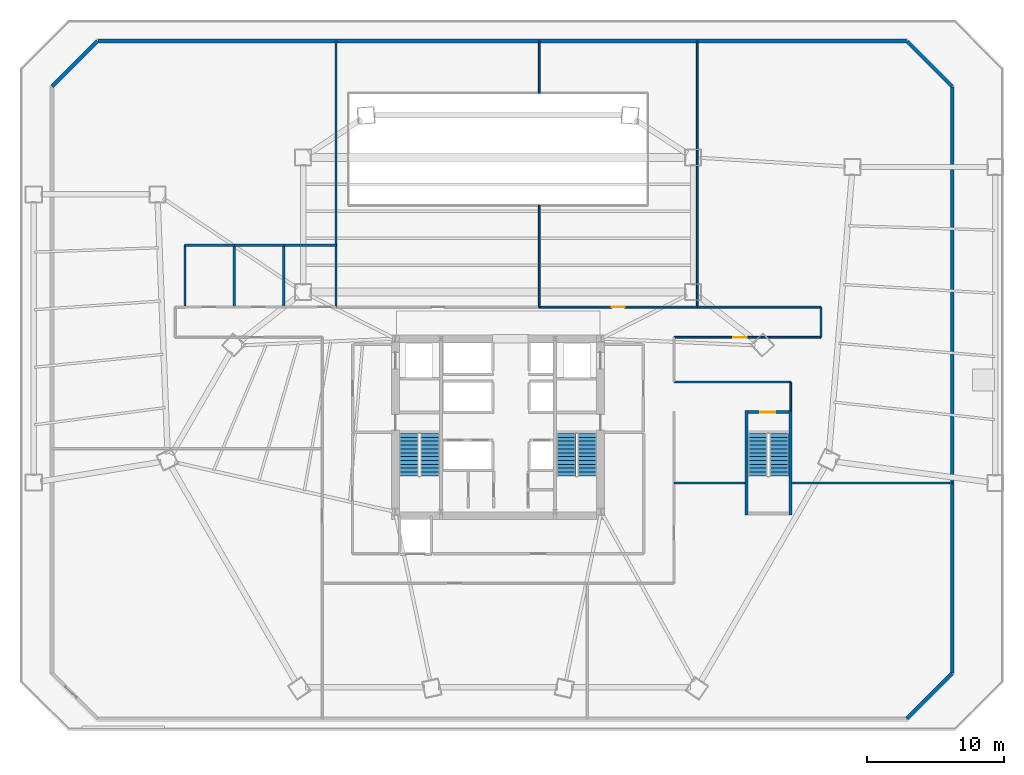
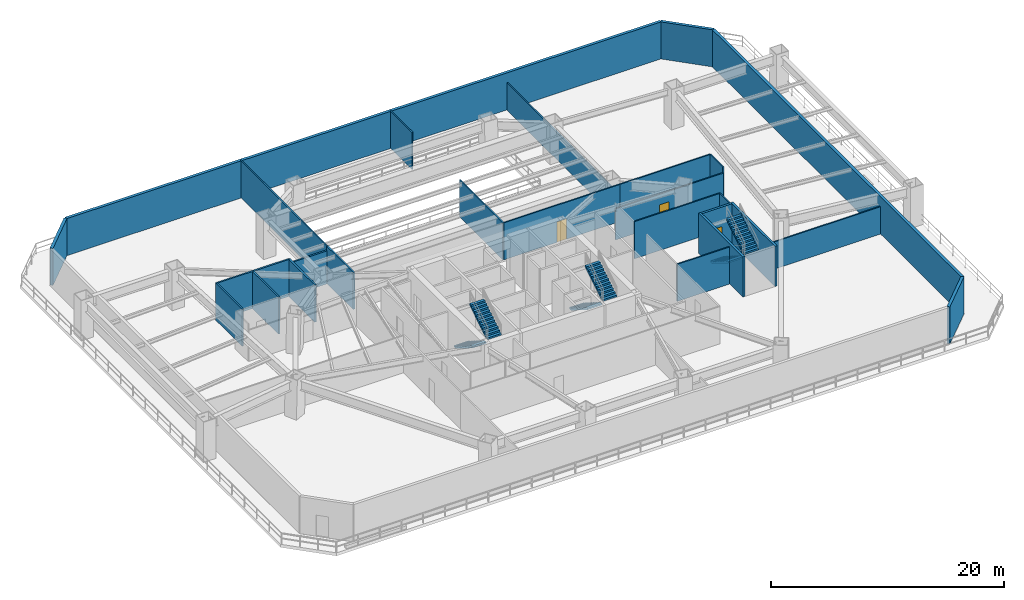
# One storey, part 7 of 12: 27 walls, 6 stair flights, 3 doors, 3 openings, 3 elements without a shape of their own.
"""IFC4 building model written with IfcOpenShell, lengths in metres."""

import ifcopenshell
import ifcopenshell.guid

model = None  # the IFC model being written
_history = None  # IfcOwnerHistory: only IFC2X3 demands one
_inside = {}  # id of a spatial element -> (the spatial element, [elements in it])
_under = {}  # id of a project, library or spatial element -> (it, [spatial elements below it])
_declared = {}  # id of a project -> (the project, [libraries it declares])
_typed = {}  # id of a type object -> (the type object, [elements of that type])
_made_of = {}  # id of a material, layer set ... -> (it, [elements and type objects made of it])


def new_model(schema):
    """Start an empty IFC model of exactly this schema.

    Asked for "IFC4X3", IfcOpenShell would pick the latest addendum, in which some entities
    have other attributes; the version numbers below select the first issue.
    IFC2X3 requires an IfcOwnerHistory on every rooted entity: one is made here for all.
    """
    global model, _history
    if schema == "IFC4X3":
        model = ifcopenshell.file(schema_version=(4, 3, 0, 0))
    else:
        model = ifcopenshell.file(schema=schema)
    _inside.clear()
    _under.clear()
    _declared.clear()
    _typed.clear()
    _made_of.clear()
    _history = None
    if model.schema == "IFC2X3":
        org = make("IfcOrganization", Name="unknown")
        user = make(
            "IfcPersonAndOrganization",
            ThePerson=make("IfcPerson", FamilyName="unknown"),
            TheOrganization=org,
        )
        app = make(
            "IfcApplication",
            ApplicationDeveloper=org,
            Version="unknown",
            ApplicationFullName="unknown",
            ApplicationIdentifier="unknown",
        )
        _history = make(
            "IfcOwnerHistory",
            OwningUser=user,
            OwningApplication=app,
            ChangeAction="ADDED",
            CreationDate=0,
        )
    return model


def make(cls, **values):
    """One entity of the class cls with the attributes given. An attribute that is None is left unset."""
    return model.create_entity(
        cls, **{name: value for name, value in values.items() if value is not None}
    )


def rooted(cls, **values):
    """An entity with a GlobalId (a new one), such as an element, a storey or a relation."""
    return make(cls, GlobalId=ifcopenshell.guid.new(), OwnerHistory=_history, **values)


def si_unit(unit_type, name, prefix=None):
    """IfcSIUnit, for example si_unit("LENGTHUNIT", "METRE", prefix="MILLI")."""
    return make("IfcSIUnit", UnitType=unit_type, Prefix=prefix, Name=name)


def assignment(units):
    """IfcUnitAssignment: the units of a project."""
    return None if units is None else make("IfcUnitAssignment", Units=units)


def point(xyz):
    """IfcCartesianPoint."""
    return None if xyz is None else make("IfcCartesianPoint", Coordinates=xyz)


def direction(xyz):
    """IfcDirection."""
    return None if xyz is None else make("IfcDirection", DirectionRatios=xyz)


def frame(location, z_axis=None, x_axis=None):
    """IfcAxis2Placement3D, a coordinate frame: its origin and axes. An axis left out is left unset."""
    return make(
        "IfcAxis2Placement3D",
        Location=point(location),
        Axis=direction(z_axis),
        RefDirection=direction(x_axis),
    )


def frame_2d(location, x_axis=None):
    """IfcAxis2Placement2D, a coordinate frame in the plane: its origin and x axis."""
    return make(
        "IfcAxis2Placement2D", Location=point(location), RefDirection=direction(x_axis)
    )


def origin():
    """The frame at (0, 0, 0) with its axes left unset."""
    return frame((0.0, 0.0, 0.0))


def place(relative_to, where):
    """IfcLocalPlacement: puts the frame where relative to a parent placement (None: the world)."""
    return make(
        "IfcLocalPlacement", PlacementRelTo=relative_to, RelativePlacement=where
    )


def context(
    kind, dimensions, precision=None, world=None, true_north=None, identifier=None
):
    """IfcGeometricRepresentationContext, for example the 3D "Model" context."""
    return make(
        "IfcGeometricRepresentationContext",
        ContextIdentifier=identifier,
        ContextType=kind,
        CoordinateSpaceDimension=dimensions,
        Precision=precision,
        WorldCoordinateSystem=world,
        TrueNorth=true_north,
    )


def subcontext(parent, identifier, kind, view, scale=None):
    """IfcGeometricRepresentationSubContext, for example "Body" below "Model"."""
    return make(
        "IfcGeometricRepresentationSubContext",
        ContextIdentifier=identifier,
        ContextType=kind,
        ParentContext=parent,
        TargetScale=scale,
        TargetView=view,
    )


def project(units=None, contexts=None):
    """IfcProject with its units and contexts."""
    return rooted(
        "IfcProject",
        Name="project",
        RepresentationContexts=contexts,
        UnitsInContext=assignment(units),
    )


def spatial(cls, under=None, at=None, **own):
    """A site, building, storey or space (cls), placed at a placement, below another one or the project."""
    s = rooted(cls, ObjectPlacement=at, **own)
    if under is not None:
        _under.setdefault(under.id(), (under, []))[1].append(s)
    return s


def polyline(points):
    """IfcPolyline through the points."""
    return make("IfcPolyline", Points=[point(p) for p in points])


def profile(cls, at=None, kind="AREA", **sizes):
    """A parametric profile (cls). Its sizes go by their IFC names, for example OverallWidth=200.0."""
    return make(cls, ProfileType=kind, Position=at, **sizes)


def rectangle(**sizes):
    """IfcRectangleProfileDef."""
    return profile("IfcRectangleProfileDef", **sizes)


def outline(outer, holes=None, kind="AREA"):
    """IfcArbitraryClosedProfileDef: a profile drawn as a closed curve; with holes, ...WithVoids."""
    if holes is None:
        return make("IfcArbitraryClosedProfileDef", ProfileType=kind, OuterCurve=outer)
    return make(
        "IfcArbitraryProfileDefWithVoids",
        ProfileType=kind,
        OuterCurve=outer,
        InnerCurves=holes,
    )


def extrude(swept, where, along, depth):
    """IfcExtrudedAreaSolid: the profile swept, set in the frame where, extruded along a direction by depth."""
    return make(
        "IfcExtrudedAreaSolid",
        SweptArea=swept,
        Position=where,
        ExtrudedDirection=direction(along),
        Depth=depth,
    )


def shape(context_of_items, identifier, shape_type, items):
    """IfcShapeRepresentation: the items that make up one representation, for example the "Body"."""
    return make(
        "IfcShapeRepresentation",
        ContextOfItems=context_of_items,
        RepresentationIdentifier=identifier,
        RepresentationType=shape_type,
        Items=items,
    )


def material(Name=None, Category=None):
    """IfcMaterial."""
    return make("IfcMaterial", Name=Name, Category=Category)


def layer(
    of_material, thickness, ventilated=None, Name=None, Category=None, Priority=None
):
    """IfcMaterialLayer: one layer of a wall or slab, of a material (None: an air gap)."""
    return make(
        "IfcMaterialLayer",
        Material=of_material,
        LayerThickness=thickness,
        IsVentilated=ventilated,
        Name=Name,
        Category=Category,
        Priority=Priority,
    )


def layer_set(layers, Name=None):
    """IfcMaterialLayerSet."""
    return make("IfcMaterialLayerSet", MaterialLayers=layers, LayerSetName=Name)


def made_of(thing, what):
    """Note that an element or type object is made of a material, layer set ...; save() writes the relation."""
    if what is not None:
        _made_of.setdefault(what.id(), (what, []))[1].append(thing)
    return thing


def type_object(cls, material=None, **own):
    """A type object (cls), such as IfcWallType, which elements share."""
    return made_of(rooted(cls, **own), material)


def element(
    cls,
    number,
    at=None,
    inside=None,
    cuts=None,
    type_object=None,
    material=None,
    context=None,
    identifier="Body",
    shape_type=None,
    held_by="IfcProductDefinitionShape",
    body=None,
    shapes=None,
    **own,
):
    """One element of the class cls, such as IfcWall. Its Tag is "e" and its number.

    at: its placement. inside: the storey or other place that contains it. cuts: it is an
    opening in that element (IfcRelVoidsElement). A single representation is given by context,
    identifier, shape_type and body (its items); several are given by shapes. held_by: the class
    of the entity that holds the representations. save() writes the other relations.
    """
    e = rooted(cls, Tag="e%d" % number, ObjectPlacement=at, **own)
    if body is not None:
        shapes = [shape(context, identifier, shape_type, body)]
    if shapes is not None:
        e.Representation = make(held_by, Representations=shapes)
    if inside is not None:
        _inside.setdefault(inside.id(), (inside, []))[1].append(e)
    if cuts is not None:
        rooted(
            "IfcRelVoidsElement", RelatingBuildingElement=cuts, RelatedOpeningElement=e
        )
    if type_object is not None:
        _typed.setdefault(type_object.id(), (type_object, []))[1].append(e)
    return made_of(e, material)


def fill(opening, filler):
    """IfcRelFillsElement: the door or window that sits in an opening."""
    return rooted(
        "IfcRelFillsElement",
        RelatingOpeningElement=opening,
        RelatedBuildingElement=filler,
    )


def aggregate(whole, parts):
    """IfcRelAggregates: a whole, such as a stair, and the parts it consists of."""
    return rooted("IfcRelAggregates", RelatingObject=whole, RelatedObjects=parts)


def save(model, path):
    """Write the relations noted so far, then the file.

    IfcRelAggregates (storeys below a building ...), IfcRelContainedInSpatialStructure (elements
    in a storey), IfcRelDefinesByType, IfcRelAssociatesMaterial and IfcRelDeclares: one each for
    every whole, place, type object, material and project.
    """
    for whole, parts in _under.values():
        aggregate(whole, parts)
    for where, things in _inside.values():
        rooted(
            "IfcRelContainedInSpatialStructure",
            RelatedElements=things,
            RelatingStructure=where,
        )
    for kind, things in _typed.values():
        rooted("IfcRelDefinesByType", RelatedObjects=things, RelatingType=kind)
    for what, things in _made_of.values():
        rooted("IfcRelAssociatesMaterial", RelatedObjects=things, RelatingMaterial=what)
    for by, libraries in _declared.values():
        rooted("IfcRelDeclares", RelatingContext=by, RelatedDefinitions=libraries)
    model.write(path)


model = new_model("IFC4")

# Units and contexts
model_context = context("Model", 3, precision=1e-05, world=origin(), true_north=direction((0.0, 1.0)))
body_context = subcontext(model_context, "Body", "Model", "MODEL_VIEW")
ifc_project = project(units=[si_unit("LENGTHUNIT", "METRE"), si_unit("AREAUNIT", "SQUARE_METRE"), si_unit("VOLUMEUNIT", "CUBIC_METRE"), si_unit("PLANEANGLEUNIT", "RADIAN"), si_unit("MASSUNIT", "GRAM", prefix="KILO")], contexts=[model_context])

# Site, building, storey
site_placement = place(None, origin())
site = spatial("IfcSite", under=ifc_project, at=site_placement, CompositionType="ELEMENT")
building_placement = place(site_placement, origin())
building = spatial("IfcBuilding", under=site, at=building_placement, Name="Caelisora Broadcast Tower", CompositionType="ELEMENT")
storey_placement = place(building_placement, frame((0.0, 0.0, 14.699951171875)))
storey = spatial("IfcBuildingStorey", under=building, at=storey_placement, Name="L03", CompositionType="ELEMENT", Elevation=14.699951171875)

# Walls
ifc_material_1 = material(Name="Concrete 50 MPa (AS 3600 S50)", Category="concrete")
ifc_layer_1 = layer(ifc_material_1, 0.219970703125, Name="Concrete 50 MPa (AS 3600 S50)")
ifc_layer_set_1 = layer_set([ifc_layer_1], Name="Concrete 50 MPa (AS 3600 S50)")
wall_type_1 = type_object("IfcWallType", Name="CW7", PredefinedType="SHEAR", material=ifc_layer_set_1)
for number, where, z_axis, x_axis, name in (
    (1, (56.090087890625, 17.179931640625, 0.0), (0.0, 0.0, 1.0), (0.0, 1.0, 0.0), "L03 core shear wall CW7"),
    (2, (59.27001953125, 17.179931640625, 0.0), (0.0, 0.0, 1.0), (0.0, 1.0, 0.0), "L03 core shear wall CW7"),
):
    element("IfcWall", number, at=place(storey_placement, frame(where, z_axis=z_axis, x_axis=x_axis)), inside=storey, type_object=wall_type_1, Name=name, PredefinedType="SHEAR", context=body_context, shape_type="SweptSolid", body=[
        extrude(rectangle(XDim=7.580078125, YDim=0.219970703125, at=frame_2d((3.7900390625, 0.0))), origin(), (0.0, 0.0, 1.0), 4.199951171875),
    ])

# Wall, opening, door
wall_1_placement = place(storey_placement, frame((56.199951171875, 24.64990234375, 0.0), z_axis=(0.0, 0.0, 1.0), x_axis=(1.0, 0.0, 0.0)))
wall_1 = element("IfcWall", 3, at=wall_1_placement, inside=storey, type_object=wall_type_1, Name="L03 core shear wall CW7", PredefinedType="SHEAR", context=body_context, shape_type="SweptSolid", body=[
    extrude(rectangle(XDim=2.9599609375, YDim=0.219970703125, at=frame_2d((1.47998046875, 0.0))), origin(), (0.0, 0.0, 1.0), 4.199951171875),
])
opening_1_placement = place(wall_1_placement, frame((0.8701171875, 0.0, 0.0)))
opening_1 = element("IfcOpeningElement", 4, at=opening_1_placement, cuts=wall_1, Name="Opening FD04", PredefinedType="OPENING", context=body_context, shape_type="SweptSolid", body=[
    extrude(rectangle(XDim=1.1201171875, YDim=2.14990234375, at=frame_2d((0.56005859375, 1.074951171875))), frame((0.0, 0.1220703125, 0.0), z_axis=(0.0, -1.0, 0.0), x_axis=(1.0, 0.0, 0.0)), (0.0, 0.0, 1.0), 0.243896484375),
])
ifc_material_2 = material(Name="Pressurised Fire-Isolated Stair Door", Category="steel")
door_type_1 = type_object("IfcDoorType", Name="FD04", OperationType="NOTDEFINED", PredefinedType="DOOR", material=ifc_material_2)
door_1_placement = place(opening_1_placement, origin())
door_1 = element("IfcDoor", 5, at=door_1_placement, inside=storey, type_object=door_type_1, Name="L03 door FD04 (L03-DR-ST3)", OperationType="SINGLE_SWING_LEFT", OverallHeight=2.14990234375, OverallWidth=1.1201171875, PredefinedType="DOOR", context=body_context, shape_type="SweptSolid", body=[
    extrude(rectangle(XDim=1.1201171875, YDim=2.14990234375, at=frame_2d((0.56005859375, 1.074951171875))), frame((0.0, 0.02490234375, 0.0), z_axis=(0.0, -1.0, 0.0), x_axis=(1.0, 0.0, 0.0)), (0.0, 0.0, 1.0), 0.050048828125),
])
fill(opening_1, door_1)

# Walls
ifc_material_3 = material(Name="Insulated Terracotta Spandrel Wall System", Category="masonry")
ifc_layer_2 = layer(ifc_material_3, 0.280029296875, Name="Insulated Terracotta Spandrel Wall System")
ifc_layer_set_2 = layer_set([ifc_layer_2], Name="Insulated Terracotta Spandrel Wall System")
wall_type_2 = type_object("IfcWallType", Name="EW1", PredefinedType="STANDARD", material=ifc_layer_set_2)
wall_2_placement = place(storey_placement, frame((5.5400390625, 48.35888671875, 0.0), z_axis=(0.0, 0.0, 1.0), x_axis=(0.707106781187, 0.707106781187, 0.0)))
element("IfcWall", 6, at=wall_2_placement, inside=storey, type_object=wall_type_2, Name="L03 exterior envelope wall EW1", PredefinedType="STANDARD", context=body_context, shape_type="SweptSolid", body=[
    extrude(rectangle(XDim=4.66845703125, YDim=0.280029296875, at=frame_2d((2.334228515625, 0.0))), origin(), (0.0, 0.0, 1.0), 3.880126953125),
])
wall_3_placement = place(storey_placement, frame((8.861083984375, 51.659912109375, 0.0), z_axis=(0.0, 0.0, 1.0), x_axis=(1.0, 0.0, 0.0)))
element("IfcWall", 7, at=wall_3_placement, inside=storey, type_object=wall_type_2, Name="L03 exterior envelope wall EW1", PredefinedType="STANDARD", context=body_context, shape_type="SweptSolid", body=[
    extrude(rectangle(XDim=58.8779296875, YDim=0.280029296875, at=frame_2d((29.43896484375, 0.0))), origin(), (0.0, 0.0, 1.0), 3.880126953125),
])
wall_4_placement = place(storey_placement, frame((67.759033203125, 51.659912109375, 0.0), z_axis=(0.0, 0.0, 1.0), x_axis=(0.707106781187, -0.707106781187, 0.0)))
element("IfcWall", 8, at=wall_4_placement, inside=storey, type_object=wall_type_2, Name="L03 exterior envelope wall EW1", PredefinedType="STANDARD", context=body_context, shape_type="SweptSolid", body=[
    extrude(rectangle(XDim=4.66845703125, YDim=0.280029296875, at=frame_2d((2.334228515625, 0.0))), origin(), (0.0, 0.0, 1.0), 3.880126953125),
])
wall_5_placement = place(storey_placement, frame((71.06005859375, 48.339111328125, 0.0), z_axis=(0.0, 0.0, 1.0), x_axis=(0.0, -1.0, 0.0)))
element("IfcWall", 9, at=wall_5_placement, inside=storey, type_object=wall_type_2, Name="L03 exterior envelope wall EW1", PredefinedType="STANDARD", context=body_context, shape_type="SweptSolid", body=[
    extrude(rectangle(XDim=42.67822265625, YDim=0.280029296875, at=frame_2d((21.339111328125, 0.0))), origin(), (0.0, 0.0, 1.0), 3.880126953125),
])
wall_6_placement = place(storey_placement, frame((71.06005859375, 5.64111328125, 0.0), z_axis=(0.0, 0.0, 1.0), x_axis=(-0.707106781187, -0.707106781187, 0.0)))
element("IfcWall", 10, at=wall_6_placement, inside=storey, type_object=wall_type_2, Name="L03 exterior envelope wall EW1", PredefinedType="STANDARD", context=body_context, shape_type="SweptSolid", body=[
    extrude(rectangle(XDim=4.66845703125, YDim=0.280029296875, at=frame_2d((2.334228515625, 0.0))), origin(), (0.0, 0.0, 1.0), 3.880126953125),
])
ifc_material_4 = material(Name="Acoustic Steel-Stud Plasterboard Partition", Category="gypsum")
ifc_layer_3 = layer(ifc_material_4, 0.1298828125, Name="Acoustic Steel-Stud Plasterboard Partition")
ifc_layer_set_3 = layer_set([ifc_layer_3], Name="Acoustic Steel-Stud Plasterboard Partition")
wall_type_3 = type_object("IfcWallType", Name="PW3", PredefinedType="PARTITIONING", material=ifc_layer_set_3)
wall_7_placement = place(storey_placement, frame((52.5, 32.304931640625, 0.0), z_axis=(0.0, 0.0, 1.0), x_axis=(0.0, 1.0, 0.0)))
element("IfcWall", 11, at=wall_7_placement, inside=storey, type_object=wall_type_3, Name="L03 internal partition PW3", PredefinedType="PARTITIONING", context=body_context, shape_type="SweptSolid", body=[
    extrude(rectangle(XDim=19.364990234375, YDim=0.1298828125, at=frame_2d((9.6826171875, 0.0))), origin(), (0.0, 0.0, 1.0), 2.864990234375),
])
wall_8_placement = place(storey_placement, frame((26.199951171875, 36.804931640625, 0.0), z_axis=(0.0, 0.0, 1.0), x_axis=(0.0, 1.0, 0.0)))
element("IfcWall", 12, at=wall_8_placement, inside=storey, type_object=wall_type_3, Name="L03 internal partition PW3", PredefinedType="PARTITIONING", context=body_context, shape_type="SweptSolid", body=[
    extrude(rectangle(XDim=14.864990234375, YDim=0.1298828125, at=frame_2d((7.4326171875, 0.0))), origin(), (0.0, 0.0, 1.0), 3.880126953125),
])
wall_9_placement = place(storey_placement, frame((59.375, 19.5, 0.0), z_axis=(0.0, 0.0, 1.0), x_axis=(1.0, 0.0, 0.0)))
element("IfcWall", 13, at=wall_9_placement, inside=storey, type_object=wall_type_3, Name="L03 internal partition PW3", PredefinedType="PARTITIONING", context=body_context, shape_type="SweptSolid", body=[
    extrude(rectangle(XDim=11.695068359375, YDim=0.1298828125, at=frame_2d((5.84765625, 0.0))), origin(), (0.0, 0.0, 1.0), 2.864990234375),
])

# Wall, opening, door
wall_10_placement = place(storey_placement, frame((41.0048828125, 32.300048828125, 0.0), z_axis=(0.0, 0.0, 1.0), x_axis=(1.0, 0.0, 0.0)))
wall_10 = element("IfcWall", 14, at=wall_10_placement, inside=storey, type_object=wall_type_3, Name="L03 internal partition PW3", PredefinedType="PARTITIONING", context=body_context, shape_type="SweptSolid", body=[
    extrude(rectangle(XDim=11.490234375, YDim=0.1298828125, at=frame_2d((5.7451171875, 0.0))), origin(), (0.0, 0.0, 1.0), 3.880126953125),
])
opening_2_placement = place(wall_10_placement, frame((5.264892578125, 0.0, 0.0)))
opening_2 = element("IfcOpeningElement", 15, at=opening_2_placement, cuts=wall_10, Name="Opening D01", PredefinedType="OPENING", context=body_context, shape_type="SweptSolid", body=[
    extrude(rectangle(XDim=0.9599609375, YDim=2.14990234375, at=frame_2d((0.47998046875, 1.074951171875))), frame((0.0, 0.076904296875, 0.0), z_axis=(0.0, -1.0, 0.0), x_axis=(1.0, 0.0, 0.0)), (0.0, 0.0, 1.0), 0.15380859375),
])
ifc_material_5 = material(Name="Solid-Core Timber Acoustic Office Door", Category="wood")
door_type_2 = type_object("IfcDoorType", Name="D01", OperationType="NOTDEFINED", PredefinedType="DOOR", material=ifc_material_5)
door_2_placement = place(opening_2_placement, origin())
door_2 = element("IfcDoor", 16, at=door_2_placement, inside=storey, type_object=door_type_2, Name="L03 door D01 (L03-DR-P33D1)", OperationType="SINGLE_SWING_LEFT", OverallHeight=2.14990234375, OverallWidth=0.9599609375, PredefinedType="DOOR", context=body_context, shape_type="SweptSolid", body=[
    extrude(rectangle(XDim=0.9599609375, YDim=2.14990234375, at=frame_2d((0.47998046875, 1.074951171875))), frame((0.0, 0.02490234375, 0.0), z_axis=(0.0, -1.0, 0.0), x_axis=(1.0, 0.0, 0.0)), (0.0, 0.0, 1.0), 0.050048828125),
])
fill(opening_2, door_2)

wall_11_placement = place(storey_placement, frame((61.4951171875, 30.10009765625, 0.0), z_axis=(0.0, 0.0, 1.0), x_axis=(-1.0, 0.0, 0.0)))
wall_11 = element("IfcWall", 17, at=wall_11_placement, inside=storey, type_object=wall_type_3, Name="L03 internal partition PW3", PredefinedType="PARTITIONING", context=body_context, shape_type="SweptSolid", body=[
    extrude(rectangle(XDim=10.690185546875, YDim=0.1298828125, at=frame_2d((5.34521484375, 0.0))), origin(), (0.0, 0.0, 1.0), 3.25341796875),
])
opening_3_placement = place(wall_11_placement, frame((5.39990234375, 0.0, 0.0)))
opening_3 = element("IfcOpeningElement", 18, at=opening_3_placement, cuts=wall_11, Name="Opening D01", PredefinedType="OPENING", context=body_context, shape_type="SweptSolid", body=[
    extrude(rectangle(XDim=0.9599609375, YDim=2.14990234375, at=frame_2d((0.47998046875, 1.074951171875))), frame((0.0, 0.076904296875, 0.0), z_axis=(0.0, -1.0, 0.0), x_axis=(1.0, 0.0, 0.0)), (0.0, 0.0, 1.0), 0.15380859375),
])
door_3_placement = place(opening_3_placement, origin())
door_3 = element("IfcDoor", 19, at=door_3_placement, inside=storey, type_object=door_type_2, Name="L03 door D01 (L03-DR-P34D1)", OperationType="SINGLE_SWING_RIGHT", OverallHeight=2.14990234375, OverallWidth=0.9599609375, PredefinedType="DOOR", context=body_context, shape_type="SweptSolid", body=[
    extrude(rectangle(XDim=0.9599609375, YDim=2.14990234375, at=frame_2d((0.47998046875, 1.074951171875))), frame((0.0, 0.02490234375, 0.0), z_axis=(0.0, -1.0, 0.0), x_axis=(1.0, 0.0, 0.0)), (0.0, 0.0, 1.0), 0.050048828125),
])
fill(opening_3, door_3)

# Walls
wall_12_placement = place(storey_placement, frame((52.5048828125, 32.300048828125, 0.0), z_axis=(0.0, 0.0, 1.0), x_axis=(1.0, 0.0, 0.0)))
element("IfcWall", 20, at=wall_12_placement, inside=storey, type_object=wall_type_3, Name="L03 internal partition PW3", PredefinedType="PARTITIONING", context=body_context, shape_type="SweptSolid", body=[
    extrude(rectangle(XDim=8.990234375, YDim=0.1298828125, at=frame_2d((4.4951171875, 0.0))), origin(), (0.0, 0.0, 1.0), 3.880126953125),
])
wall_13_placement = place(storey_placement, frame((50.804931640625, 26.85009765625, 0.0), z_axis=(0.0, 0.0, 1.0), x_axis=(1.0, 0.0, 0.0)))
element("IfcWall", 21, at=wall_13_placement, inside=storey, type_object=wall_type_3, Name="L03 internal partition PW3", PredefinedType="PARTITIONING", context=body_context, shape_type="SweptSolid", body=[
    extrude(rectangle(XDim=8.489990234375, YDim=0.1298828125, at=frame_2d((4.2451171875, 0.0))), origin(), (0.0, 0.0, 1.0), 3.880126953125),
])
wall_14_placement = place(storey_placement, frame((41.0, 32.304931640625, 0.0), z_axis=(0.0, 0.0, 1.0), x_axis=(0.0, 1.0, 0.0)))
element("IfcWall", 22, at=wall_14_placement, inside=storey, type_object=wall_type_3, Name="L03 internal partition PW3", PredefinedType="PARTITIONING", context=body_context, shape_type="SweptSolid", body=[
    extrude(rectangle(XDim=7.420166015625, YDim=0.1298828125, at=frame_2d((3.7099609375, 0.0))), origin(), (0.0, 0.0, 1.0), 3.880126953125),
])
wall_15_placement = place(storey_placement, frame((50.804931640625, 19.5, 0.0), z_axis=(0.0, 0.0, 1.0), x_axis=(1.0, 0.0, 0.0)))
element("IfcWall", 23, at=wall_15_placement, inside=storey, type_object=wall_type_3, Name="L03 internal partition PW3", PredefinedType="PARTITIONING", context=body_context, shape_type="SweptSolid", body=[
    extrude(rectangle(XDim=5.170166015625, YDim=0.1298828125, at=frame_2d((2.5849609375, 0.0))), origin(), (0.0, 0.0, 1.0), 3.880126953125),
])
wall_16_placement = place(storey_placement, frame((41.0, 47.875, 0.0), z_axis=(0.0, 0.0, 1.0), x_axis=(0.0, 1.0, 0.0)))
element("IfcWall", 24, at=wall_16_placement, inside=storey, type_object=wall_type_3, Name="L03 internal partition PW3", PredefinedType="PARTITIONING", context=body_context, shape_type="SweptSolid", body=[
    extrude(rectangle(XDim=3.794921875, YDim=0.1298828125, at=frame_2d((1.8974609375, 0.0))), origin(), (0.0, 0.0, 1.0), 3.880126953125),
])
wall_17_placement = place(storey_placement, frame((61.5, 32.294921875, 0.0), z_axis=(0.0, 0.0, 1.0), x_axis=(0.0, -1.0, 0.0)))
element("IfcWall", 25, at=wall_17_placement, inside=storey, type_object=wall_type_3, Name="L03 internal partition PW3", PredefinedType="PARTITIONING", context=body_context, shape_type="SweptSolid", body=[
    extrude(rectangle(XDim=2.18994140625, YDim=0.1298828125, at=frame_2d((1.094970703125, 0.0))), origin(), (0.0, 0.0, 1.0), 3.880126953125),
])
wall_18_placement = place(storey_placement, frame((59.300048828125, 26.844970703125, 0.0), z_axis=(0.0, 0.0, 1.0), x_axis=(0.0, -1.0, 0.0)))
element("IfcWall", 26, at=wall_18_placement, inside=storey, type_object=wall_type_3, Name="L03 internal partition PW3", PredefinedType="PARTITIONING", context=body_context, shape_type="SweptSolid", body=[
    extrude(rectangle(XDim=2.070068359375, YDim=0.1298828125, at=frame_2d((1.03515625, 0.0))), origin(), (0.0, 0.0, 1.0), 3.880126953125),
])
ifc_material_6 = material(Name="Moisture-Resistant Wet Plumbing Service Wall", Category="gypsum")
ifc_layer_4 = layer(ifc_material_6, 0.159912109375, Name="Moisture-Resistant Wet Plumbing Service Wall")
ifc_layer_set_4 = layer_set([ifc_layer_4], Name="Moisture-Resistant Wet Plumbing Service Wall")
wall_type_4 = type_object("IfcWallType", Name="PW4", PredefinedType="PLUMBINGWALL", material=ifc_layer_set_4)
for number, where, z_axis, x_axis, name in (
    (27, (15.199951171875, 32.27490234375, 0.0), (0.0, 0.0, 1.0), (0.0, 1.0, 0.0), "L03 wet plumbing wall PW4"),
    (28, (18.800048828125, 32.27490234375, 0.0), (0.0, 0.0, 1.0), (0.0, 1.0, 0.0), "L03 wet plumbing wall PW4"),
    (29, (22.39990234375, 32.27490234375, 0.0), (0.0, 0.0, 1.0), (0.0, 1.0, 0.0), "L03 wet plumbing wall PW4"),
    (30, (26.199951171875, 32.27490234375, 0.0), (0.0, 0.0, 1.0), (0.0, 1.0, 0.0), "L03 wet plumbing wall PW4"),
):
    element("IfcWall", number, at=place(storey_placement, frame(where, z_axis=z_axis, x_axis=x_axis)), inside=storey, type_object=wall_type_4, Name=name, PredefinedType="PLUMBINGWALL", context=body_context, shape_type="SweptSolid", body=[
        extrude(rectangle(XDim=4.550048828125, YDim=0.159912109375, at=frame_2d((2.27490234375, 0.0))), origin(), (0.0, 0.0, 1.0), 3.880126953125),
    ])
wall_19_placement = place(storey_placement, frame((22.375, 36.800048828125, 0.0), z_axis=(0.0, 0.0, 1.0), x_axis=(1.0, 0.0, 0.0)))
element("IfcWall", 31, at=wall_19_placement, inside=storey, type_object=wall_type_4, Name="L03 wet plumbing wall PW4", PredefinedType="PLUMBINGWALL", context=body_context, shape_type="SweptSolid", body=[
    extrude(rectangle(XDim=3.85009765625, YDim=0.159912109375, at=frame_2d((1.925048828125, 0.0))), origin(), (0.0, 0.0, 1.0), 3.458740234375),
])
wall_20_placement = place(storey_placement, frame((15.175048828125, 36.800048828125, 0.0), z_axis=(0.0, 0.0, 1.0), x_axis=(1.0, 0.0, 0.0)))
element("IfcWall", 32, at=wall_20_placement, inside=storey, type_object=wall_type_4, Name="L03 wet plumbing wall PW4", PredefinedType="PLUMBINGWALL", context=body_context, shape_type="SweptSolid", body=[
    extrude(rectangle(XDim=3.64990234375, YDim=0.159912109375, at=frame_2d((1.824951171875, 0.0))), origin(), (0.0, 0.0, 1.0), 3.880126953125),
])
wall_21_placement = place(storey_placement, frame((18.77490234375, 36.800048828125, 0.0), z_axis=(0.0, 0.0, 1.0), x_axis=(1.0, 0.0, 0.0)))
element("IfcWall", 33, at=wall_21_placement, inside=storey, type_object=wall_type_4, Name="L03 wet plumbing wall PW4", PredefinedType="PLUMBINGWALL", context=body_context, shape_type="SweptSolid", body=[
    extrude(rectangle(XDim=3.650146484375, YDim=0.159912109375, at=frame_2d((1.8251953125, 0.0))), origin(), (0.0, 0.0, 1.0), 3.880126953125),
])

# Stair, stair flights
ifc_material_7 = material(Name="Concrete 40 MPa (AS 3600 N40)", Category="concrete")
stair_type_1 = type_object("IfcStairType", Name="ST-1", PredefinedType="HALF_TURN_STAIR", material=ifc_material_7)
stair_1_placement = place(storey_placement, origin())
stair_1 = element("IfcStair", 34, at=stair_1_placement, inside=storey, type_object=stair_type_1, Name="L03 West Fire-Isolated Tower Stair", PredefinedType="HALF_TURN_STAIR")
stair_flight_type = type_object("IfcStairFlightType", Name="STF-1", PredefinedType="STRAIGHT", material=ifc_material_7)
stair_flight_1_placement = place(storey_placement, frame((31.52001953125, 23.10009765625, 0.0), z_axis=(0.0, 0.0, 1.0), x_axis=(0.0, -1.0, 0.0)))
stair_flight_1 = element("IfcStairFlight", 35, at=stair_flight_1_placement, type_object=stair_flight_type, Name="ST-1 flight 1", NumberOfRisers=12, NumberOfTreads=11, PredefinedType="STRAIGHT", RiserHeight=0.175, TreadLength=0.28, context=body_context, shape_type="SweptSolid", body=[
    extrude(outline(polyline([(0.0, 0.0), (0.0, 0.175048828125), (0.280029296875, 0.175048828125), (0.280029296875, 0.35009765625), (0.56005859375, 0.35009765625), (0.56005859375, 0.52490234375), (0.840087890625, 0.52490234375), (0.840087890625, 0.699951171875), (1.1201171875, 0.699951171875), (1.1201171875, 0.875), (1.39990234375, 0.875), (1.39990234375, 1.050048828125), (1.679931640625, 1.050048828125), (1.679931640625, 1.22509765625), (1.9599609375, 1.22509765625), (1.9599609375, 1.39990234375), (2.239990234375, 1.39990234375), (2.239990234375, 1.574951171875), (2.52001953125, 1.574951171875), (2.52001953125, 1.75), (2.800048828125, 1.75), (2.800048828125, 1.925048828125), (3.080078125, 1.925048828125), (3.080078125, 2.10009765625), (3.080078125, 1.748291015625), (0.28271484375, 0.0), (0.0, 0.0)])), frame((0.0, 0.699951171875, 0.0), z_axis=(0.0, -1.0, 0.0), x_axis=(1.0, 0.0, 0.0)), (0.0, 0.0, 1.0), 1.39990234375),
])
stair_flight_2_placement = place(storey_placement, frame((33.0400390625, 20.02001953125, 2.10009765625), z_axis=(0.0, 0.0, 1.0), x_axis=(0.0, 1.0, 0.0)))
stair_flight_2 = element("IfcStairFlight", 36, at=stair_flight_2_placement, type_object=stair_flight_type, Name="ST-1 flight 2", NumberOfRisers=12, NumberOfTreads=11, PredefinedType="STRAIGHT", RiserHeight=0.175, TreadLength=0.28, context=body_context, shape_type="SweptSolid", body=[
    extrude(outline(polyline([(0.0, 0.0), (0.0, 0.175048828125), (0.280029296875, 0.175048828125), (0.280029296875, 0.35009765625), (0.56005859375, 0.35009765625), (0.56005859375, 0.52490234375), (0.840087890625, 0.52490234375), (0.840087890625, 0.699951171875), (1.1201171875, 0.699951171875), (1.1201171875, 0.875), (1.39990234375, 0.875), (1.39990234375, 1.050048828125), (1.679931640625, 1.050048828125), (1.679931640625, 1.22509765625), (1.9599609375, 1.22509765625), (1.9599609375, 1.39990234375), (2.239990234375, 1.39990234375), (2.239990234375, 1.574951171875), (2.52001953125, 1.574951171875), (2.52001953125, 1.75), (2.800048828125, 1.75), (2.800048828125, 1.925048828125), (3.080078125, 1.925048828125), (3.080078125, 2.10009765625), (3.080078125, 1.748291015625), (0.28271484375, 0.0), (0.0, 0.0)])), frame((0.0, 0.699951171875, 0.0), z_axis=(0.0, -1.0, 0.0), x_axis=(1.0, 0.0, 0.0)), (0.0, 0.0, 1.0), 1.39990234375),
])
aggregate(stair_1, [stair_flight_1, stair_flight_2])

stair_type_2 = type_object("IfcStairType", Name="ST-2", PredefinedType="HALF_TURN_STAIR", material=ifc_material_7)
stair_2_placement = place(storey_placement, origin())
stair_2 = element("IfcStair", 37, at=stair_2_placement, inside=storey, type_object=stair_type_2, Name="L03 East Fire-Isolated Tower Stair", PredefinedType="HALF_TURN_STAIR")
stair_flight_3_placement = place(storey_placement, frame((42.9599609375, 23.10009765625, 0.0), z_axis=(0.0, 0.0, 1.0), x_axis=(0.0, -1.0, 0.0)))
stair_flight_3 = element("IfcStairFlight", 38, at=stair_flight_3_placement, type_object=stair_flight_type, Name="ST-2 flight 1", NumberOfRisers=12, NumberOfTreads=11, PredefinedType="STRAIGHT", RiserHeight=0.175, TreadLength=0.28, context=body_context, shape_type="SweptSolid", body=[
    extrude(outline(polyline([(0.0, 0.0), (0.0, 0.175048828125), (0.280029296875, 0.175048828125), (0.280029296875, 0.35009765625), (0.56005859375, 0.35009765625), (0.56005859375, 0.52490234375), (0.840087890625, 0.52490234375), (0.840087890625, 0.699951171875), (1.1201171875, 0.699951171875), (1.1201171875, 0.875), (1.39990234375, 0.875), (1.39990234375, 1.050048828125), (1.679931640625, 1.050048828125), (1.679931640625, 1.22509765625), (1.9599609375, 1.22509765625), (1.9599609375, 1.39990234375), (2.239990234375, 1.39990234375), (2.239990234375, 1.574951171875), (2.52001953125, 1.574951171875), (2.52001953125, 1.75), (2.800048828125, 1.75), (2.800048828125, 1.925048828125), (3.080078125, 1.925048828125), (3.080078125, 2.10009765625), (3.080078125, 1.748291015625), (0.28271484375, 0.0), (0.0, 0.0)])), frame((0.0, 0.699951171875, 0.0), z_axis=(0.0, -1.0, 0.0), x_axis=(1.0, 0.0, 0.0)), (0.0, 0.0, 1.0), 1.39990234375),
])
stair_flight_4_placement = place(storey_placement, frame((44.47998046875, 20.02001953125, 2.10009765625), z_axis=(0.0, 0.0, 1.0), x_axis=(0.0, 1.0, 0.0)))
stair_flight_4 = element("IfcStairFlight", 39, at=stair_flight_4_placement, type_object=stair_flight_type, Name="ST-2 flight 2", NumberOfRisers=12, NumberOfTreads=11, PredefinedType="STRAIGHT", RiserHeight=0.175, TreadLength=0.28, context=body_context, shape_type="SweptSolid", body=[
    extrude(outline(polyline([(0.0, 0.0), (0.0, 0.175048828125), (0.280029296875, 0.175048828125), (0.280029296875, 0.35009765625), (0.56005859375, 0.35009765625), (0.56005859375, 0.52490234375), (0.840087890625, 0.52490234375), (0.840087890625, 0.699951171875), (1.1201171875, 0.699951171875), (1.1201171875, 0.875), (1.39990234375, 0.875), (1.39990234375, 1.050048828125), (1.679931640625, 1.050048828125), (1.679931640625, 1.22509765625), (1.9599609375, 1.22509765625), (1.9599609375, 1.39990234375), (2.239990234375, 1.39990234375), (2.239990234375, 1.574951171875), (2.52001953125, 1.574951171875), (2.52001953125, 1.75), (2.800048828125, 1.75), (2.800048828125, 1.925048828125), (3.080078125, 1.925048828125), (3.080078125, 2.10009765625), (3.080078125, 1.748291015625), (0.28271484375, 0.0), (0.0, 0.0)])), frame((0.0, 0.699951171875, 0.0), z_axis=(0.0, -1.0, 0.0), x_axis=(1.0, 0.0, 0.0)), (0.0, 0.0, 1.0), 1.39990234375),
])
aggregate(stair_2, [stair_flight_3, stair_flight_4])

stair_type_3 = type_object("IfcStairType", Name="ST-3", PredefinedType="HALF_TURN_STAIR", material=ifc_material_7)
stair_3_placement = place(storey_placement, origin())
stair_3 = element("IfcStair", 40, at=stair_3_placement, inside=storey, type_object=stair_type_3, Name="L03 Podium Broadcast Studio Exit Stair", PredefinedType="HALF_TURN_STAIR")
stair_flight_5_placement = place(storey_placement, frame((56.89990234375, 23.10009765625, 0.0), z_axis=(0.0, 0.0, 1.0), x_axis=(0.0, -1.0, 0.0)))
stair_flight_5 = element("IfcStairFlight", 41, at=stair_flight_5_placement, type_object=stair_flight_type, Name="ST-3 flight 1", NumberOfRisers=12, NumberOfTreads=11, PredefinedType="STRAIGHT", RiserHeight=0.175, TreadLength=0.28, context=body_context, shape_type="SweptSolid", body=[
    extrude(outline(polyline([(0.0, 0.0), (0.0, 0.175048828125), (0.280029296875, 0.175048828125), (0.280029296875, 0.35009765625), (0.56005859375, 0.35009765625), (0.56005859375, 0.52490234375), (0.840087890625, 0.52490234375), (0.840087890625, 0.699951171875), (1.1201171875, 0.699951171875), (1.1201171875, 0.875), (1.39990234375, 0.875), (1.39990234375, 1.050048828125), (1.679931640625, 1.050048828125), (1.679931640625, 1.22509765625), (1.9599609375, 1.22509765625), (1.9599609375, 1.39990234375), (2.239990234375, 1.39990234375), (2.239990234375, 1.574951171875), (2.52001953125, 1.574951171875), (2.52001953125, 1.75), (2.800048828125, 1.75), (2.800048828125, 1.925048828125), (3.080078125, 1.925048828125), (3.080078125, 2.10009765625), (3.080078125, 1.748291015625), (0.28271484375, 0.0), (0.0, 0.0)])), frame((0.0, 0.699951171875, 0.0), z_axis=(0.0, -1.0, 0.0), x_axis=(1.0, 0.0, 0.0)), (0.0, 0.0, 1.0), 1.39990234375),
])
stair_flight_6_placement = place(storey_placement, frame((58.4599609375, 20.02001953125, 2.10009765625), z_axis=(0.0, 0.0, 1.0), x_axis=(0.0, 1.0, 0.0)))
stair_flight_6 = element("IfcStairFlight", 42, at=stair_flight_6_placement, type_object=stair_flight_type, Name="ST-3 flight 2", NumberOfRisers=12, NumberOfTreads=11, PredefinedType="STRAIGHT", RiserHeight=0.175, TreadLength=0.28, context=body_context, shape_type="SweptSolid", body=[
    extrude(outline(polyline([(0.0, 0.0), (0.0, 0.175048828125), (0.280029296875, 0.175048828125), (0.280029296875, 0.35009765625), (0.56005859375, 0.35009765625), (0.56005859375, 0.52490234375), (0.840087890625, 0.52490234375), (0.840087890625, 0.699951171875), (1.1201171875, 0.699951171875), (1.1201171875, 0.875), (1.39990234375, 0.875), (1.39990234375, 1.050048828125), (1.679931640625, 1.050048828125), (1.679931640625, 1.22509765625), (1.9599609375, 1.22509765625), (1.9599609375, 1.39990234375), (2.239990234375, 1.39990234375), (2.239990234375, 1.574951171875), (2.52001953125, 1.574951171875), (2.52001953125, 1.75), (2.800048828125, 1.75), (2.800048828125, 1.925048828125), (3.080078125, 1.925048828125), (3.080078125, 2.10009765625), (3.080078125, 1.748291015625), (0.28271484375, 0.0), (0.0, 0.0)])), frame((0.0, 0.699951171875, 0.0), z_axis=(0.0, -1.0, 0.0), x_axis=(1.0, 0.0, 0.0)), (0.0, 0.0, 1.0), 1.39990234375),
])
aggregate(stair_3, [stair_flight_5, stair_flight_6])

save(model, "model.ifc")
